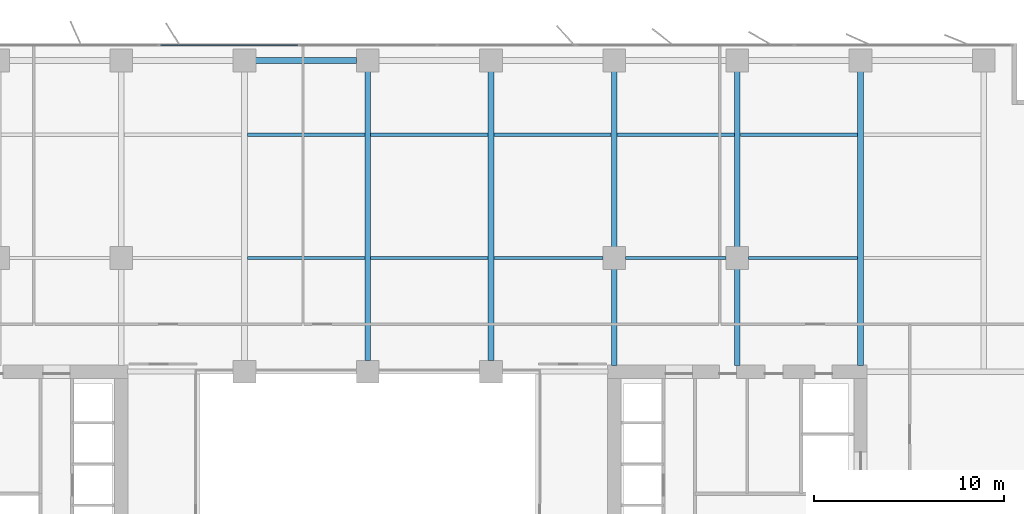
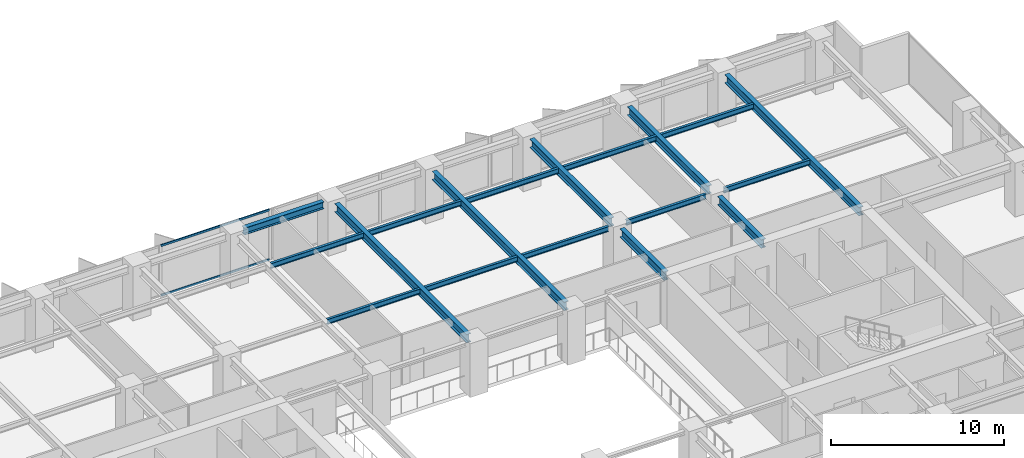
# One storey, part 8 of 20: 18 beams, 2 members, 1 element without a shape of its own.
"""IFC4 building model written with IfcOpenShell, lengths in metres."""

from ifc_helpers import new_model, si_unit, direction, frame, origin, origin_2d, place, context, subcontext, project, spatial, rectangle, i_section, extrude, material, layer, layer_set, material_profile, profile_set, type_object, element, aggregate, save


model = new_model("IFC4")

# Units and contexts
model_context = context("Model", 3, precision=1e-05, world=origin(), true_north=direction((0.0, 1.0)))
body_context = subcontext(model_context, "Body", "Model", "MODEL_VIEW")
ifc_project = project(units=[si_unit("LENGTHUNIT", "METRE"), si_unit("AREAUNIT", "SQUARE_METRE"), si_unit("VOLUMEUNIT", "CUBIC_METRE"), si_unit("PLANEANGLEUNIT", "RADIAN"), si_unit("MASSUNIT", "GRAM", prefix="KILO")], contexts=[model_context])

# Site, building, storey
site_placement = place(None, origin())
site = spatial("IfcSite", under=ifc_project, at=site_placement, CompositionType="ELEMENT")
building_placement = place(site_placement, origin())
building = spatial("IfcBuilding", under=site, at=building_placement, Name="Putna Gate Headquarters", CompositionType="ELEMENT")
storey_placement = place(building_placement, frame((0.0, 0.0, 101.199951171875)))
storey = spatial("IfcBuildingStorey", under=building, at=storey_placement, Name="L24", CompositionType="ELEMENT", Elevation=101.199951171875)

# Beams
ifc_material_1 = material(Name="Steel S355J2", Category="steel")
ifc_material_profile_1 = material_profile(ifc_material_1, i_section(OverallWidth=0.300048828125, OverallDepth=0.60009765625, WebThickness=0.015380859375, FlangeThickness=0.030029296875, at=origin_2d()), Name="Steel S355J2")
ifc_profile_set_1 = profile_set([ifc_material_profile_1], Name="Steel S355J2")
beam_type_1 = type_object("IfcBeamType", Name="BM-GIRD-Z2-HEB600", PredefinedType="USERDEFINED", material=ifc_profile_set_1)
for number, where, z_axis, x_axis, name in (
    (1, (39.0, 33.587890625, 3.26513671875), (0.0, 1.0, 0.0), (-1.0, 0.0, 0.0), "L24 North Primary Girder X39"),
    (2, (45.5, 33.587890625, 3.26513671875), (0.0, 1.0, 0.0), (-1.0, 0.0, 0.0), "L24 North Primary Girder X45"),
):
    element("IfcBeam", number, at=place(storey_placement, frame(where, z_axis=z_axis, x_axis=x_axis)), inside=storey, type_object=beam_type_1, Name=name, ObjectType="GIRDER", PredefinedType="USERDEFINED", context=body_context, shape_type="SweptSolid", body=[
        extrude(i_section(OverallWidth=0.300048828125, OverallDepth=0.60009765625, WebThickness=0.015380859375, FlangeThickness=0.030029296875, at=origin_2d()), origin(), (0.0, 0.0, 1.0), 15.244140625),
    ])
beam_1_placement = place(storey_placement, frame((52.0, 33.3349609375, 3.26513671875), z_axis=(0.0, 1.0, 0.0), x_axis=(-1.0, 0.0, 0.0)))
element("IfcBeam", 3, at=beam_1_placement, inside=storey, type_object=beam_type_1, Name="L24 North Primary Girder X52-1", ObjectType="GIRDER", PredefinedType="USERDEFINED", context=body_context, shape_type="SweptSolid", body=[
    extrude(i_section(OverallWidth=0.300048828125, OverallDepth=0.60009765625, WebThickness=0.015380859375, FlangeThickness=0.030029296875, at=origin_2d()), origin(), (0.0, 0.0, 1.0), 5.0771484375),
])
beam_2_placement = place(storey_placement, frame((52.0, 39.587890625, 3.26513671875), z_axis=(0.0, 1.0, 0.0), x_axis=(-1.0, 0.0, 0.0)))
element("IfcBeam", 4, at=beam_2_placement, inside=storey, type_object=beam_type_1, Name="L24 North Primary Girder X52-2", ObjectType="GIRDER", PredefinedType="USERDEFINED", context=body_context, shape_type="SweptSolid", body=[
    extrude(i_section(OverallWidth=0.300048828125, OverallDepth=0.60009765625, WebThickness=0.015380859375, FlangeThickness=0.030029296875, at=origin_2d()), origin(), (0.0, 0.0, 1.0), 9.244140625),
])
beam_3_placement = place(storey_placement, frame((58.5, 33.3349609375, 3.26513671875), z_axis=(0.0, 1.0, 0.0), x_axis=(-1.0, 0.0, 0.0)))
element("IfcBeam", 5, at=beam_3_placement, inside=storey, type_object=beam_type_1, Name="L24 North Primary Girder X58-1", ObjectType="GIRDER", PredefinedType="USERDEFINED", context=body_context, shape_type="SweptSolid", body=[
    extrude(i_section(OverallWidth=0.300048828125, OverallDepth=0.60009765625, WebThickness=0.015380859375, FlangeThickness=0.030029296875, at=origin_2d()), origin(), (0.0, 0.0, 1.0), 5.0771484375),
])
beam_4_placement = place(storey_placement, frame((58.5, 39.587890625, 3.26513671875), z_axis=(0.0, 1.0, 0.0), x_axis=(-1.0, 0.0, 0.0)))
element("IfcBeam", 6, at=beam_4_placement, inside=storey, type_object=beam_type_1, Name="L24 North Primary Girder X58-2", ObjectType="GIRDER", PredefinedType="USERDEFINED", context=body_context, shape_type="SweptSolid", body=[
    extrude(i_section(OverallWidth=0.300048828125, OverallDepth=0.60009765625, WebThickness=0.015380859375, FlangeThickness=0.030029296875, at=origin_2d()), origin(), (0.0, 0.0, 1.0), 9.244140625),
])
beam_5_placement = place(storey_placement, frame((65.0, 33.3349609375, 3.26513671875), z_axis=(0.0, 1.0, 0.0), x_axis=(-1.0, 0.0, 0.0)))
element("IfcBeam", 7, at=beam_5_placement, inside=storey, type_object=beam_type_1, Name="L24 North Primary Girder X65", ObjectType="GIRDER", PredefinedType="USERDEFINED", context=body_context, shape_type="SweptSolid", body=[
    extrude(i_section(OverallWidth=0.300048828125, OverallDepth=0.60009765625, WebThickness=0.015380859375, FlangeThickness=0.030029296875, at=origin_2d()), origin(), (0.0, 0.0, 1.0), 15.4970703125),
])
ifc_material_profile_2 = material_profile(ifc_material_1, i_section(OverallWidth=0.169921875, OverallDepth=0.360107421875, WebThickness=0.008056640625, FlangeThickness=0.0126953125, at=origin_2d()), Name="Steel S355J2")
ifc_profile_set_2 = profile_set([ifc_material_profile_2], Name="Steel S355J2")
beam_type_2 = type_object("IfcBeamType", Name="BM-SEC-Z2-IPE360", PredefinedType="BEAM", material=ifc_profile_set_2)
for number, where, z_axis, x_axis, name in (
    (8, (32.654052734375, 39.0, 3.385009765625), (1.0, 0.0, 0.0), (0.0, 1.0, 0.0), "L24 North Secondary Beam 5"),
    (9, (32.654052734375, 45.5, 3.385009765625), (1.0, 0.0, 0.0), (0.0, 1.0, 0.0), "L24 North Secondary Beam 5"),
    (10, (39.154052734375, 39.0, 3.385009765625), (1.0, 0.0, 0.0), (0.0, 1.0, 0.0), "L24 North Secondary Beam 6"),
    (11, (39.154052734375, 45.5, 3.385009765625), (1.0, 0.0, 0.0), (0.0, 1.0, 0.0), "L24 North Secondary Beam 6"),
):
    element("IfcBeam", number, at=place(storey_placement, frame(where, z_axis=z_axis, x_axis=x_axis)), inside=storey, type_object=beam_type_2, Name=name, PredefinedType="BEAM", context=body_context, shape_type="SweptSolid", body=[
        extrude(i_section(OverallWidth=0.169921875, OverallDepth=0.360107421875, WebThickness=0.008056640625, FlangeThickness=0.0126953125, at=origin_2d()), origin(), (0.0, 0.0, 1.0), 6.19189453125),
    ])
beam_6_placement = place(storey_placement, frame((45.654052734375, 39.0, 3.385009765625), z_axis=(1.0, 0.0, 0.0), x_axis=(0.0, 1.0, 0.0)))
element("IfcBeam", 12, at=beam_6_placement, inside=storey, type_object=beam_type_2, Name="L24 North Secondary Beam 7", PredefinedType="BEAM", context=body_context, shape_type="SweptSolid", body=[
    extrude(i_section(OverallWidth=0.169921875, OverallDepth=0.360107421875, WebThickness=0.008056640625, FlangeThickness=0.0126953125, at=origin_2d()), origin(), (0.0, 0.0, 1.0), 5.758056640625),
])
beam_7_placement = place(storey_placement, frame((45.654052734375, 45.5, 3.385009765625), z_axis=(1.0, 0.0, 0.0), x_axis=(0.0, 1.0, 0.0)))
element("IfcBeam", 13, at=beam_7_placement, inside=storey, type_object=beam_type_2, Name="L24 North Secondary Beam 7", PredefinedType="BEAM", context=body_context, shape_type="SweptSolid", body=[
    extrude(i_section(OverallWidth=0.169921875, OverallDepth=0.360107421875, WebThickness=0.008056640625, FlangeThickness=0.0126953125, at=origin_2d()), origin(), (0.0, 0.0, 1.0), 6.19189453125),
])
beam_8_placement = place(storey_placement, frame((52.587890625, 39.0, 3.385009765625), z_axis=(1.0, 0.0, 0.0), x_axis=(0.0, 1.0, 0.0)))
element("IfcBeam", 14, at=beam_8_placement, inside=storey, type_object=beam_type_2, Name="L24 North Secondary Beam 8", PredefinedType="BEAM", context=body_context, shape_type="SweptSolid", body=[
    extrude(i_section(OverallWidth=0.169921875, OverallDepth=0.360107421875, WebThickness=0.008056640625, FlangeThickness=0.0126953125, at=origin_2d()), origin(), (0.0, 0.0, 1.0), 5.32421875),
])
beam_9_placement = place(storey_placement, frame((52.154052734375, 45.5, 3.385009765625), z_axis=(1.0, 0.0, 0.0), x_axis=(0.0, 1.0, 0.0)))
element("IfcBeam", 15, at=beam_9_placement, inside=storey, type_object=beam_type_2, Name="L24 North Secondary Beam 8", PredefinedType="BEAM", context=body_context, shape_type="SweptSolid", body=[
    extrude(i_section(OverallWidth=0.169921875, OverallDepth=0.360107421875, WebThickness=0.008056640625, FlangeThickness=0.0126953125, at=origin_2d()), origin(), (0.0, 0.0, 1.0), 6.19189453125),
])
beam_10_placement = place(storey_placement, frame((59.087890625, 39.0, 3.385009765625), z_axis=(1.0, 0.0, 0.0), x_axis=(0.0, 1.0, 0.0)))
element("IfcBeam", 16, at=beam_10_placement, inside=storey, type_object=beam_type_2, Name="L24 North Secondary Beam 9", PredefinedType="BEAM", context=body_context, shape_type="SweptSolid", body=[
    extrude(i_section(OverallWidth=0.169921875, OverallDepth=0.360107421875, WebThickness=0.008056640625, FlangeThickness=0.0126953125, at=origin_2d()), origin(), (0.0, 0.0, 1.0), 5.758056640625),
])
beam_11_placement = place(storey_placement, frame((58.654052734375, 45.5, 3.385009765625), z_axis=(1.0, 0.0, 0.0), x_axis=(0.0, 1.0, 0.0)))
element("IfcBeam", 17, at=beam_11_placement, inside=storey, type_object=beam_type_2, Name="L24 North Secondary Beam 9", PredefinedType="BEAM", context=body_context, shape_type="SweptSolid", body=[
    extrude(i_section(OverallWidth=0.169921875, OverallDepth=0.360107421875, WebThickness=0.008056640625, FlangeThickness=0.0126953125, at=origin_2d()), origin(), (0.0, 0.0, 1.0), 6.19189453125),
])
ifc_material_profile_3 = material_profile(ifc_material_1, i_section(OverallWidth=0.300048828125, OverallDepth=0.489990234375, WebThickness=0.011962890625, FlangeThickness=0.02294921875, at=origin_2d()), Name="Steel S355J2")
ifc_profile_set_3 = profile_set([ifc_material_profile_3], Name="Steel S355J2")
beam_type_3 = type_object("IfcBeamType", Name="BM-SPAN-Z2-HEA500", PredefinedType="SPANDREL", material=ifc_profile_set_3)
beam_12_placement = place(storey_placement, frame((33.087890625, 49.419921875, 3.320068359375), z_axis=(1.0, 0.0, 0.0), x_axis=(0.0, 1.0, 0.0)))
element("IfcBeam", 18, at=beam_12_placement, inside=storey, type_object=beam_type_3, Name="L24 N Perimeter Spandrel 5", PredefinedType="SPANDREL", context=body_context, shape_type="SweptSolid", body=[
    extrude(i_section(OverallWidth=0.300048828125, OverallDepth=0.489990234375, WebThickness=0.011962890625, FlangeThickness=0.02294921875, at=origin_2d()), origin(), (0.0, 0.0, 1.0), 5.32421875),
])

# Curtain wall, members
ifc_material_2 = material(Name="Anodised bronze aluminium curtain wall", Category="aluminium")
ifc_layer = layer(ifc_material_2, 0.179931640625)
ifc_layer_set = layer_set([ifc_layer], Name="Anodised bronze aluminium curtain wall")
curtain_wall_type = type_object("IfcCurtainWallType", Name="CW-SYS-ATR", PredefinedType="USERDEFINED", material=ifc_layer_set)
curtain_wall_placement = place(storey_placement, origin())
curtain_wall = element("IfcCurtainWall", 19, at=curtain_wall_placement, inside=storey, type_object=curtain_wall_type, Name="L24 North Atrium Clear Glazing", ObjectType="ATRIUM GLAZING", PredefinedType="USERDEFINED")
ifc_material_3 = material(Name="Anodised bronze aluminium EN AW-6060", Category="aluminium")
ifc_material_profile_4 = material_profile(ifc_material_3, rectangle(XDim=0.070068359375, YDim=0.139892578125, at=origin_2d()), Name="Anodised bronze aluminium EN AW-6060")
ifc_profile_set_4 = profile_set([ifc_material_profile_4], Name="Anodised bronze aluminium EN AW-6060")
member_type = type_object("IfcMemberType", Name="TRAN-CWT-AT", PredefinedType="USERDEFINED", material=ifc_profile_set_4)
member_1_placement = place(storey_placement, frame((28.070068359375, 50.219970703125, 0.03515625), z_axis=(1.0, 0.0, 0.0), x_axis=(0.0, 1.0, 0.0)))
member_1 = element("IfcMember", 20, at=member_1_placement, type_object=member_type, Name="CWS-AT transom 1.1", ObjectType="TRANSOM", PredefinedType="USERDEFINED", context=body_context, shape_type="SweptSolid", body=[
    extrude(rectangle(XDim=0.070068359375, YDim=0.139892578125, at=origin_2d()), origin(), (0.0, 0.0, 1.0), 7.228271484375),
])
member_2_placement = place(storey_placement, frame((28.070068359375, 50.219970703125, 3.530029296875), z_axis=(1.0, 0.0, 0.0), x_axis=(0.0, 1.0, 0.0)))
member_2 = element("IfcMember", 21, at=member_2_placement, type_object=member_type, Name="CWS-AT transom 1.2", ObjectType="TRANSOM", PredefinedType="USERDEFINED", context=body_context, shape_type="SweptSolid", body=[
    extrude(rectangle(XDim=0.070068359375, YDim=0.139892578125, at=origin_2d()), origin(), (0.0, 0.0, 1.0), 7.228271484375),
])
aggregate(curtain_wall, [member_1, member_2])

save(model, "model.ifc")
